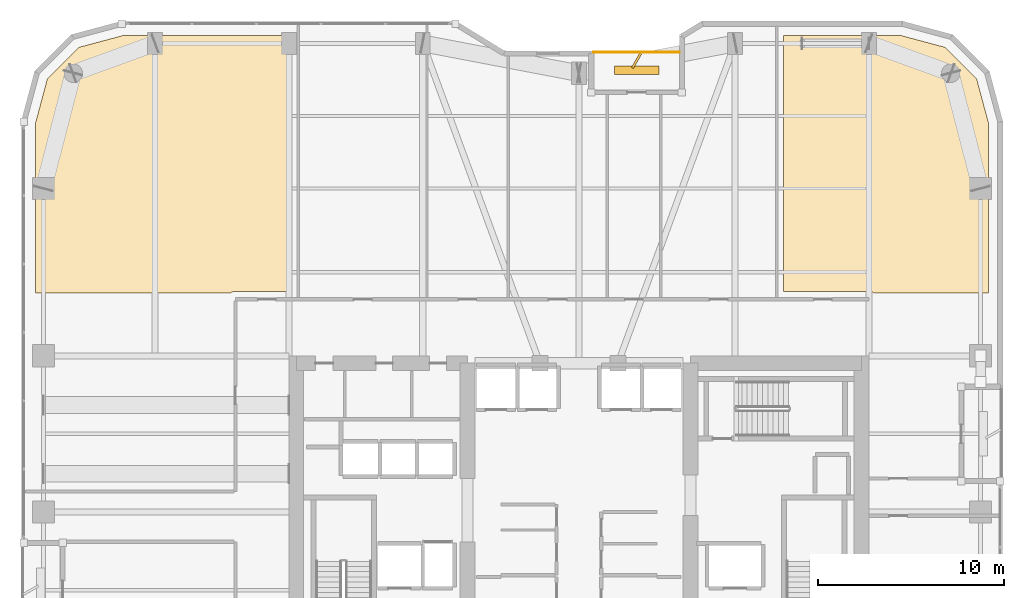
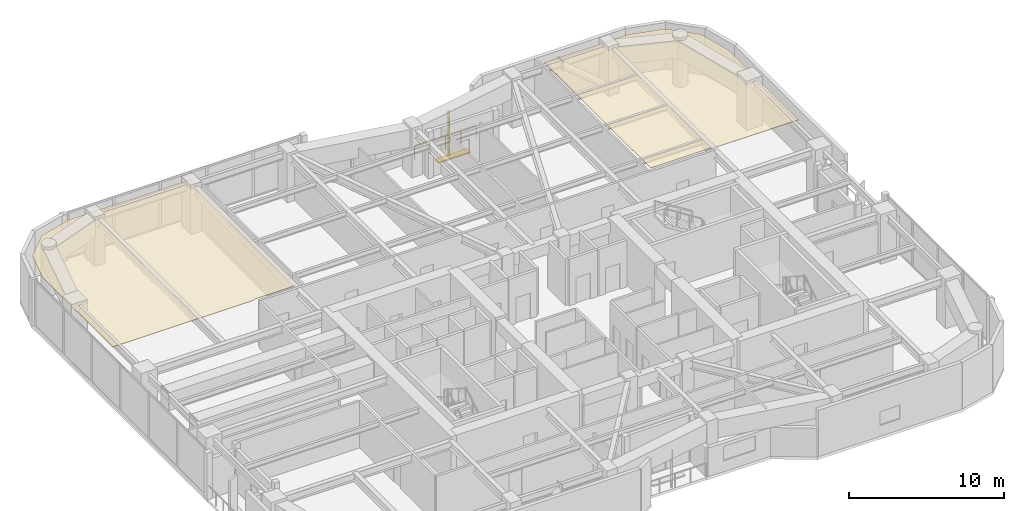
# One storey, part 30 of 30: 2 coverings, 2 shading devices, 1 railing.
"""IFC4 building model written with IfcOpenShell, lengths in metres."""

from ifc_helpers import new_model, si_unit, direction, frame, origin, origin_2d, place, context, subcontext, project, spatial, polyline, rectangle, outline, extrude, material, layer, layer_set, type_object, element, save


model = new_model("IFC4")

# Units and contexts
model_context = context("Model", 3, precision=1e-05, world=origin(), true_north=direction((0.0, 1.0)))
body_context = subcontext(model_context, "Body", "Model", "MODEL_VIEW")
ifc_project = project(units=[si_unit("LENGTHUNIT", "METRE"), si_unit("AREAUNIT", "SQUARE_METRE"), si_unit("VOLUMEUNIT", "CUBIC_METRE"), si_unit("PLANEANGLEUNIT", "RADIAN"), si_unit("MASSUNIT", "GRAM", prefix="KILO")], contexts=[model_context])

# Site, building, storey
site_placement = place(None, origin())
site = spatial("IfcSite", under=ifc_project, at=site_placement, CompositionType="ELEMENT")
building_placement = place(site_placement, origin())
building = spatial("IfcBuilding", under=site, at=building_placement, Name="Kiyonajd Concourse Tower", CompositionType="ELEMENT")
storey_placement = place(building_placement, frame((0.0, 0.0, 177.89990234375)))
storey = spatial("IfcBuildingStorey", under=building, at=storey_placement, Name="L45", CompositionType="ELEMENT", Elevation=177.89990234375)

# Coverings
ifc_material_1 = material(Name="Natural Oak Acoustic Timber Veneer", Category="wood")
ifc_layer = layer(ifc_material_1, 0.0400390625)
ifc_layer_set = layer_set([ifc_layer], Name="Natural Oak Acoustic Timber Veneer")
covering_type = type_object("IfcCoveringType", Name="CV-CLG-ACST", PredefinedType="CEILING", material=ifc_layer_set)
covering_1_placement = place(storey_placement, frame((0.0, 0.0, 3.5)))
element("IfcCovering", 1, at=covering_1_placement, inside=storey, type_object=covering_type, Name="L45-46 Room Acoustic Ceiling", PredefinedType="CEILING", context=body_context, shape_type="SweptSolid", body=[
    extrude(outline(polyline([(21.097900390625, 60.986083984375), (23.5009765625, 61.6298828125), (32.56005859375, 61.6298828125), (32.56005859375, 47.8701171875), (29.52490234375, 47.8701171875), (29.39501953125, 47.85009765625), (29.33203125, 47.823974609375), (29.277099609375, 47.7900390625), (18.77001953125, 47.7900390625), (18.77001953125, 56.89892578125), (19.4140625, 59.302001953125), (21.097900390625, 60.986083984375)])), origin(), (0.0, 0.0, 1.0), 0.0400390625),
])
covering_2_placement = place(storey_placement, frame((0.0, 0.0, 3.5)))
element("IfcCovering", 2, at=covering_2_placement, inside=storey, type_object=covering_type, Name="L45-52 Room Acoustic Ceiling", PredefinedType="CEILING", context=body_context, shape_type="SweptSolid", body=[
    extrude(outline(polyline([(63.847900390625, 47.7900390625), (63.79296875, 47.823974609375), (63.72998046875, 47.85009765625), (63.60009765625, 47.8701171875), (59.010009765625, 47.8701171875), (59.010009765625, 61.6298828125), (65.299072265625, 61.6298828125), (67.701904296875, 60.986083984375), (69.385986328125, 59.302001953125), (70.030029296875, 56.89892578125), (70.030029296875, 47.7900390625), (63.847900390625, 47.7900390625)])), origin(), (0.0, 0.0, 1.0), 0.0400390625),
])

# Railing
ifc_material_2 = material(Name="Thermally Broken Anodised Aluminium", Category="aluminium")
railing_type = type_object("IfcRailingType", Name="RL-GRD-LOG", PredefinedType="GUARDRAIL", material=ifc_material_2)
railing_placement = place(storey_placement, frame((53.39990234375, 60.719970703125, 0.0)))
element("IfcRailing", 3, at=railing_placement, inside=storey, type_object=railing_type, Name="L45 Engawa Loggia Perimeter Guard LOG-N", PredefinedType="GUARDRAIL", context=body_context, shape_type="SweptSolid", body=[
    extrude(rectangle(XDim=0.048095703125, YDim=0.048095703125, at=origin_2d()), frame((0.0, 0.0, 1.076171875), z_axis=(-1.0, 0.0, 0.0), x_axis=(0.0, -1.0, 0.0)), (0.0, 0.0, 1.0), 4.599853515625),
    extrude(rectangle(XDim=0.0419921875, YDim=0.0419921875, at=origin_2d()), origin(), (0.0, 0.0, 1.0), 1.052001953125),
    extrude(rectangle(XDim=0.0419921875, YDim=0.0419921875, at=origin_2d()), frame((-1.14990234375, 0.0, 0.0)), (0.0, 0.0, 1.0), 1.052001953125),
    extrude(rectangle(XDim=0.0419921875, YDim=0.0419921875, at=origin_2d()), frame((-2.2998046875, 0.0, 0.0)), (0.0, 0.0, 1.0), 1.052001953125),
    extrude(rectangle(XDim=0.0419921875, YDim=0.0419921875, at=origin_2d()), frame((-3.449951171875, 0.0, 0.0)), (0.0, 0.0, 1.0), 1.052001953125),
    extrude(rectangle(XDim=0.0419921875, YDim=0.0419921875, at=origin_2d()), frame((-4.599853515625, 0.0, 0.0)), (0.0, 0.0, 1.0), 1.052001953125),
])

# Shading devices
ifc_material_3 = material(Name="Precast concrete C50/60", Category="concrete")
shading_device_type_1 = type_object("IfcShadingDeviceType", Name="SH-FIN-900", PredefinedType="USERDEFINED", material=ifc_material_3)
shading_device_1_placement = place(storey_placement, frame((51.10009765625, 60.27001953125, 0.0), z_axis=(0.0, 0.0, 1.0), x_axis=(0.5, 0.866025403784, 0.0)))
element("IfcShadingDevice", 4, at=shading_device_1_placement, inside=storey, type_object=shading_device_type_1, Name="L45 Angled Koshi Solar Fin LOG-N", ObjectType="FIN", PredefinedType="USERDEFINED", context=body_context, shape_type="SweptSolid", body=[
    extrude(rectangle(XDim=0.89990234375, YDim=0.1201171875, at=origin_2d()), origin(), (0.0, 0.0, 1.0), 3.0),
])
shading_device_type_2 = type_object("IfcShadingDeviceType", Name="SH-LVR-600", PredefinedType="JALOUSIE", material=ifc_material_2)
shading_device_2_placement = place(storey_placement, frame((51.10009765625, 59.75, 0.0), z_axis=(0.0, 0.0, 1.0), x_axis=(1.0, 0.0, 0.0)))
element("IfcShadingDevice", 5, at=shading_device_2_placement, inside=storey, type_object=shading_device_type_2, Name="L45 Loggia Threshold Louver LOG-N", PredefinedType="JALOUSIE", context=body_context, shape_type="SweptSolid", body=[
    extrude(rectangle(XDim=2.39990234375, YDim=0.449951171875, at=origin_2d()), origin(), (0.0, 0.0, 1.0), 0.10009765625),
])

save(model, "model.ifc")
